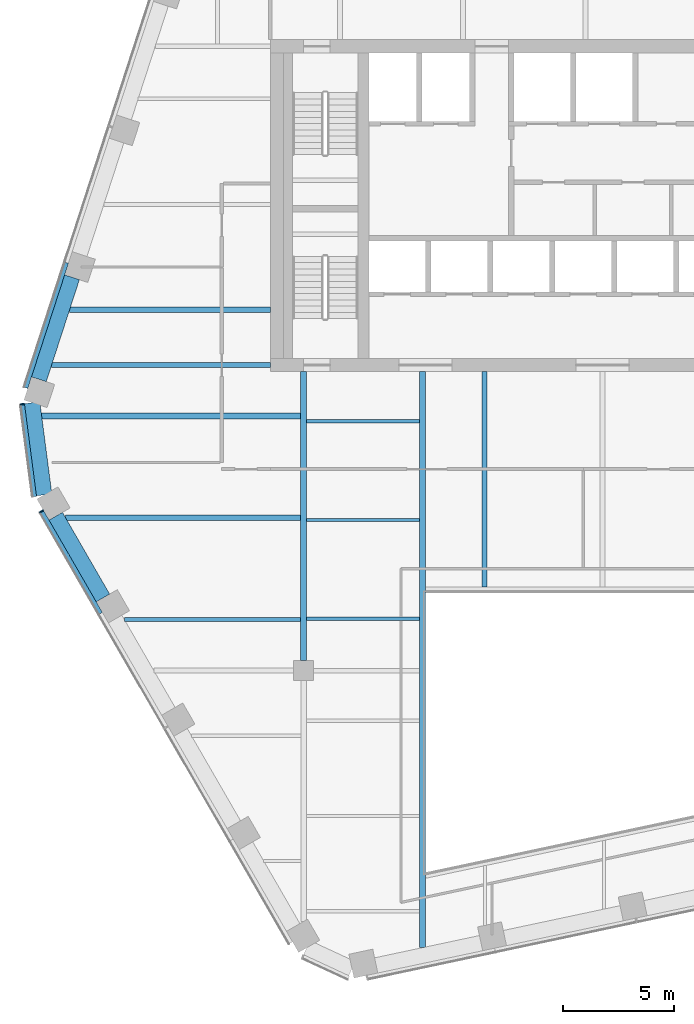
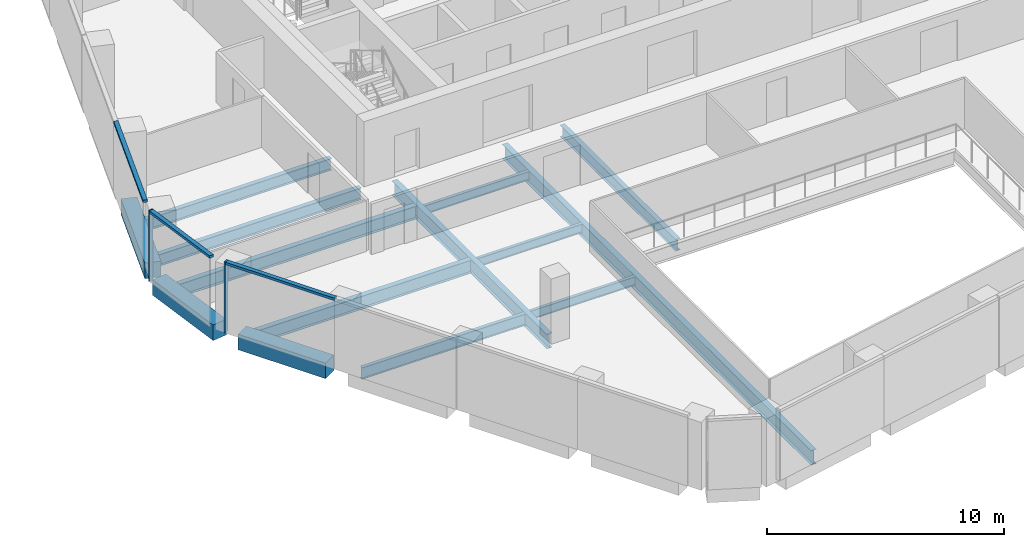
# One storey, part 3 of 16: 14 beams, 5 members, 3 elements without a shape of their own.
"""IFC4 building model written with IfcOpenShell, lengths in metres."""

from ifc_helpers import new_model, si_unit, direction, frame, origin, origin_2d, place, context, subcontext, project, spatial, rectangle, i_section, extrude, material, layer, layer_set, material_profile, profile_set, type_object, element, aggregate, save


model = new_model("IFC4")

# Units and contexts
model_context = context("Model", 3, precision=1e-05, world=origin(), true_north=direction((0.0, 1.0)))
body_context = subcontext(model_context, "Body", "Model", "MODEL_VIEW")
ifc_project = project(units=[si_unit("LENGTHUNIT", "METRE"), si_unit("AREAUNIT", "SQUARE_METRE"), si_unit("VOLUMEUNIT", "CUBIC_METRE"), si_unit("PLANEANGLEUNIT", "RADIAN"), si_unit("MASSUNIT", "GRAM", prefix="KILO")], contexts=[model_context])

# Site, building, storey
site_placement = place(None, origin())
site = spatial("IfcSite", under=ifc_project, at=site_placement, CompositionType="ELEMENT")
building_placement = place(site_placement, origin())
building = spatial("IfcBuilding", under=site, at=building_placement, Name="Isthmus Gate Tower", CompositionType="ELEMENT")
storey_placement = place(building_placement, frame((0.0, 0.0, 252.800048828125)))
storey = spatial("IfcBuildingStorey", under=building, at=storey_placement, Name="L64", CompositionType="ELEMENT", Elevation=252.800048828125)

# Curtain wall, member
ifc_material_1 = material(Name="Aluminium, pale champagne anodised", Category="aluminium")
ifc_layer = layer(ifc_material_1, 0.199951171875)
ifc_layer_set = layer_set([ifc_layer], Name="CW-1 UNITISED CURTAIN WALL 200 DEEP")
curtain_wall_type = type_object("IfcCurtainWallType", Name="CW-1 UNITISED CURTAIN WALL 200 DEEP", PredefinedType="NOTDEFINED", material=ifc_layer_set)
curtain_wall_1_placement = place(storey_placement, origin())
curtain_wall_1 = element("IfcCurtainWall", 1, at=curtain_wall_1_placement, inside=storey, type_object=curtain_wall_type, Name="CW-1 NW-SW L64", PredefinedType="NOTDEFINED")
ifc_material_2 = material(Name="Aluminium, pale champagne anodised", Category="aluminium")
ifc_material_profile_1 = material_profile(ifc_material_2, rectangle(XDim=0.06005859375, YDim=0.199951171875, at=origin_2d()), Name="60x200")
ifc_profile_set_1 = profile_set([ifc_material_profile_1], Name="Aluminium, pale champagne anodised")
member_type_1 = type_object("IfcMemberType", Name="CW-1 MULLION 60 X 200", PredefinedType="MULLION", material=ifc_profile_set_1)
member_1_placement = place(storey_placement, frame((-26.205322265625, -1.4658203125, 0.0), z_axis=(0.0, 0.0, 1.0), x_axis=(0.129164534, -0.991623175988, 0.0)))
member_1 = element("IfcMember", 2, at=member_1_placement, type_object=member_type_1, Name="CW-1 mullion", PredefinedType="MULLION", context=body_context, shape_type="SweptSolid", body=[
    extrude(rectangle(XDim=0.06005859375, YDim=0.199951171875, at=origin_2d()), origin(), (0.0, 0.0, 1.0), 3.64990234375),
])

curtain_wall_2_placement = place(storey_placement, origin())
curtain_wall_2 = element("IfcCurtainWall", 3, at=curtain_wall_2_placement, inside=storey, type_object=curtain_wall_type, Name="CW-1 SW L64", PredefinedType="NOTDEFINED")
member_2_placement = place(storey_placement, frame((-25.3427734375, -6.304931640625, 0.0), z_axis=(0.0, 0.0, 1.0), x_axis=(0.5, -0.866025403784, 0.0)))
member_2 = element("IfcMember", 4, at=member_2_placement, type_object=member_type_1, Name="CW-1 mullion", PredefinedType="MULLION", context=body_context, shape_type="SweptSolid", body=[
    extrude(rectangle(XDim=0.06005859375, YDim=0.199951171875, at=origin_2d()), origin(), (0.0, 0.0, 1.0), 3.64990234375),
])

curtain_wall_3_placement = place(storey_placement, origin())
curtain_wall_3 = element("IfcCurtainWall", 5, at=curtain_wall_3_placement, inside=storey, type_object=curtain_wall_type, Name="CW-1 NW L64", PredefinedType="NOTDEFINED")
ifc_material_3 = material(Name="Aluminium, pale champagne anodised", Category="aluminium")
ifc_material_profile_2 = material_profile(ifc_material_3, rectangle(XDim=0.199951171875, YDim=0.1298828125, at=origin_2d()), Name="200x130")
ifc_profile_set_2 = profile_set([ifc_material_profile_2], Name="Aluminium, pale champagne anodised")
member_type_2 = type_object("IfcMemberType", Name="CW-1 TRANSOM 200 X 130", PredefinedType="USERDEFINED", material=ifc_profile_set_2)
member_3_placement = place(storey_placement, frame((-24.217529296875, 4.92333984375, 3.5849609375), z_axis=(-0.309020108403, -0.951055504481, 0.0), x_axis=(0.951055504481, -0.309020108403, 0.0)))
member_3 = element("IfcMember", 6, at=member_3_placement, type_object=member_type_2, Name="CW-1 transom", ObjectType="TRANSOM", PredefinedType="USERDEFINED", context=body_context, shape_type="SweptSolid", body=[
    extrude(rectangle(XDim=0.199951171875, YDim=0.1298828125, at=origin_2d()), origin(), (0.0, 0.0, 1.0), 5.94189453125),
])
aggregate(curtain_wall_3, [member_3])

# Member
member_4_placement = place(storey_placement, frame((-26.20166015625, -1.495361328125, 3.5849609375), z_axis=(0.129206893318, -0.991617657527, 0.0), x_axis=(0.991617657527, 0.129206893318, 0.0)))
member_4 = element("IfcMember", 7, at=member_4_placement, type_object=member_type_2, Name="CW-1 transom", ObjectType="TRANSOM", PredefinedType="USERDEFINED", context=body_context, shape_type="SweptSolid", body=[
    extrude(rectangle(XDim=0.199951171875, YDim=0.1298828125, at=origin_2d()), origin(), (0.0, 0.0, 1.0), 4.181640625),
])

aggregate(curtain_wall_1, [member_1, member_4])

member_5_placement = place(storey_placement, frame((-25.327880859375, -6.3310546875, 3.5849609375), z_axis=(0.500022807565, -0.86601223543, 0.0), x_axis=(0.86601223543, 0.500022807565, 0.0)))
member_5 = element("IfcMember", 8, at=member_5_placement, type_object=member_type_2, Name="CW-1 transom", ObjectType="TRANSOM", PredefinedType="USERDEFINED", context=body_context, shape_type="SweptSolid", body=[
    extrude(rectangle(XDim=0.199951171875, YDim=0.1298828125, at=origin_2d()), origin(), (0.0, 0.0, 1.0), 5.300537109375),
])

aggregate(curtain_wall_2, [member_2, member_5])

# Beams
ifc_material_4 = material(Name="Concrete f'c 50 MPa", Category="concrete")
ifc_material_profile_3 = material_profile(ifc_material_4, rectangle(XDim=0.699951171875, YDim=0.800048828125, at=origin_2d()), Name="RC 700X800")
ifc_profile_set_3 = profile_set([ifc_material_profile_3], Name="Concrete f'c 50 MPa")
beam_type_1 = type_object("IfcBeamType", Name="RC SPANDREL 700 X 800", PredefinedType="SPANDREL", material=ifc_profile_set_3)
beam_1_placement = place(storey_placement, frame((-22.562744140625, -10.22021484375, -0.400146484375), z_axis=(-0.499996907167, 0.866027189425, 0.0), x_axis=(-0.866027189425, -0.499996907167, 0.0)))
element("IfcBeam", 9, at=beam_1_placement, inside=storey, type_object=beam_type_1, Name="str-spandrel-L64-19", PredefinedType="SPANDREL", context=body_context, shape_type="SweptSolid", body=[
    extrude(rectangle(XDim=0.699951171875, YDim=0.800048828125, at=origin_2d()), origin(), (0.0, 0.0, 1.0), 4.2607421875),
])
beam_2_placement = place(storey_placement, frame((-25.218017578125, -5.563232421875, -0.400146484375), z_axis=(-0.129137748309, 0.991626664608, 0.0), x_axis=(-0.991626664608, -0.129137748309, 0.0)))
element("IfcBeam", 10, at=beam_2_placement, inside=storey, type_object=beam_type_1, Name="str-spandrel-L64-20", PredefinedType="SPANDREL", context=body_context, shape_type="SweptSolid", body=[
    extrude(rectangle(XDim=0.699951171875, YDim=0.800048828125, at=origin_2d()), origin(), (0.0, 0.0, 1.0), 4.197021484375),
])
beam_3_placement = place(storey_placement, frame((-25.455810546875, -0.34375, -0.400146484375), z_axis=(0.309033626624, 0.951051111989, 0.0), x_axis=(-0.951051111989, 0.309033626624, 0.0)))
element("IfcBeam", 11, at=beam_3_placement, inside=storey, type_object=beam_type_1, Name="str-spandrel-L64-21", PredefinedType="SPANDREL", context=body_context, shape_type="SweptSolid", body=[
    extrude(rectangle(XDim=0.699951171875, YDim=0.800048828125, at=origin_2d()), origin(), (0.0, 0.0, 1.0), 4.842041015625),
])
ifc_material_5 = material(Name="Structural steel ASTM A992 Gr 50", Category="steel")
ifc_material_profile_4 = material_profile(ifc_material_5, i_section(OverallWidth=0.15234375, OverallDepth=0.45068359375, WebThickness=0.0078125, FlangeThickness=0.010986328125, at=origin_2d()), Name="W18X35")
ifc_profile_set_4 = profile_set([ifc_material_profile_4], Name="Structural steel ASTM A992 Gr 50")
beam_type_2 = type_object("IfcBeamType", Name="STEEL FLOOR BEAM W18X35", PredefinedType="JOIST", material=ifc_profile_set_4)
for number, where, z_axis, x_axis, name in (
    (12, (-13.3681640625, -11.16259765625, -0.37548828125), (1.0, 0.0, 0.0), (0.0, 1.0, 0.0), "str-beam-L64-03-00"),
    (13, (-13.3681640625, -6.697509765625, -0.37548828125), (1.0, 0.0, 0.0), (0.0, 1.0, 0.0), "str-beam-L64-03-01"),
    (14, (-13.3681640625, -2.232421875, -0.37548828125), (1.0, 0.0, 0.0), (0.0, 1.0, 0.0), "str-beam-L64-03-02"),
):
    element("IfcBeam", number, at=place(storey_placement, frame(where, z_axis=z_axis, x_axis=x_axis)), inside=storey, type_object=beam_type_2, Name=name, PredefinedType="JOIST", context=body_context, shape_type="SweptSolid", body=[
        extrude(i_section(OverallWidth=0.15234375, OverallDepth=0.45068359375, WebThickness=0.0078125, FlangeThickness=0.010986328125, at=origin_2d()), origin(), (0.0, 0.0, 1.0), 5.104736328125),
    ])
ifc_material_6 = material(Name="Structural steel ASTM A992 Gr 50", Category="steel")
ifc_material_profile_5 = material_profile(ifc_material_6, i_section(OverallWidth=0.177734375, OverallDepth=0.60009765625, WebThickness=0.009521484375, FlangeThickness=0.0126953125, at=origin_2d()), Name="W24X55")
ifc_profile_set_5 = profile_set([ifc_material_profile_5], Name="Structural steel ASTM A992 Gr 50")
beam_type_3 = type_object("IfcBeamType", Name="STEEL FLOOR BEAM W24X55", PredefinedType="JOIST", material=ifc_profile_set_5)
beam_4_placement = place(storey_placement, frame((-21.593017578125, -11.199951171875, -0.4501953125), z_axis=(1.0, 0.0, 0.0), x_axis=(0.0, 1.0, 0.0)))
element("IfcBeam", 15, at=beam_4_placement, inside=storey, type_object=beam_type_3, Name="str-beam-L64-01-00", PredefinedType="JOIST", context=body_context, shape_type="SweptSolid", body=[
    extrude(i_section(OverallWidth=0.177734375, OverallDepth=0.60009765625, WebThickness=0.009521484375, FlangeThickness=0.0126953125, at=origin_2d()), origin(), (0.0, 0.0, 1.0), 7.961181640625),
])
ifc_material_7 = material(Name="Structural steel ASTM A992 Gr 50", Category="steel")
ifc_material_profile_6 = material_profile(ifc_material_7, i_section(OverallWidth=0.228515625, OverallDepth=0.603271484375, WebThickness=0.010986328125, FlangeThickness=0.014404296875, at=origin_2d()), Name="W24X68")
ifc_profile_set_6 = profile_set([ifc_material_profile_6], Name="Structural steel ASTM A992 Gr 50")
beam_type_4 = type_object("IfcBeamType", Name="STEEL FLOOR BEAM W24X68", PredefinedType="JOIST", material=ifc_profile_set_6)
beam_5_placement = place(storey_placement, frame((-24.06787109375, 2.795166015625, -0.45166015625), z_axis=(1.0, 0.0, 0.0), x_axis=(0.0, 1.0, 0.0)))
element("IfcBeam", 16, at=beam_5_placement, inside=storey, type_object=beam_type_4, Name="str-beam-L64-00-00", PredefinedType="JOIST", context=body_context, shape_type="SweptSolid", body=[
    extrude(i_section(OverallWidth=0.228515625, OverallDepth=0.603271484375, WebThickness=0.010986328125, FlangeThickness=0.014404296875, at=origin_2d()), origin(), (0.0, 0.0, 1.0), 9.06787109375),
])
beam_6_placement = place(storey_placement, frame((-5.333251953125, -9.7333984375, -0.45166015625), z_axis=(0.0, 1.0, 0.0), x_axis=(-1.0, 0.0, 0.0)))
element("IfcBeam", 17, at=beam_6_placement, inside=storey, type_object=beam_type_4, Name="str-beam-L64-07-00", PredefinedType="JOIST", context=body_context, shape_type="SweptSolid", body=[
    extrude(i_section(OverallWidth=0.228515625, OverallDepth=0.603271484375, WebThickness=0.010986328125, FlangeThickness=0.014404296875, at=origin_2d()), origin(), (0.0, 0.0, 1.0), 9.7333984375),
])
ifc_material_8 = material(Name="Structural steel ASTM A992 Gr 50", Category="steel")
ifc_material_profile_7 = material_profile(ifc_material_8, i_section(OverallWidth=0.25390625, OverallDepth=0.679443359375, WebThickness=0.010986328125, FlangeThickness=0.015869140625, at=origin_2d()), Name="W27X84")
ifc_profile_set_7 = profile_set([ifc_material_profile_7], Name="Structural steel ASTM A992 Gr 50")
beam_type_5 = type_object("IfcBeamType", Name="STEEL FLOOR BEAM W27X84", PredefinedType="JOIST", material=ifc_profile_set_7)
beam_7_placement = place(storey_placement, frame((-24.248779296875, -6.60009765625, -0.48974609375), z_axis=(1.0, 0.0, 0.0), x_axis=(0.0, 1.0, 0.0)))
element("IfcBeam", 18, at=beam_7_placement, inside=storey, type_object=beam_type_5, Name="str-beam-L64-01-01", PredefinedType="JOIST", context=body_context, shape_type="SweptSolid", body=[
    extrude(i_section(OverallWidth=0.25390625, OverallDepth=0.679443359375, WebThickness=0.010986328125, FlangeThickness=0.015869140625, at=origin_2d()), origin(), (0.0, 0.0, 1.0), 10.616943359375),
])
beam_8_placement = place(storey_placement, frame((-25.3291015625, -2.0, -0.48974609375), z_axis=(1.0, 0.0, 0.0), x_axis=(0.0, 1.0, 0.0)))
element("IfcBeam", 19, at=beam_8_placement, inside=storey, type_object=beam_type_5, Name="str-beam-L64-01-02", PredefinedType="JOIST", context=body_context, shape_type="SweptSolid", body=[
    extrude(i_section(OverallWidth=0.25390625, OverallDepth=0.679443359375, WebThickness=0.010986328125, FlangeThickness=0.015869140625, at=origin_2d()), origin(), (0.0, 0.0, 1.0), 11.697265625),
])
ifc_material_9 = material(Name="Structural steel ASTM A992 Gr 50", Category="steel")
ifc_material_profile_8 = material_profile(ifc_material_9, i_section(OverallWidth=0.228515625, OverallDepth=0.6064453125, WebThickness=0.010986328125, FlangeThickness=0.017578125, at=origin_2d()), Name="W24X76")
ifc_profile_set_8 = profile_set([ifc_material_profile_8], Name="Structural steel ASTM A992 Gr 50")
beam_type_6 = type_object("IfcBeamType", Name="STEEL GIRDER W24X76", PredefinedType="BEAM", material=ifc_profile_set_8)
beam_9_placement = place(storey_placement, frame((-15.0, 0.300048828125, -0.453369140625), z_axis=(-1.0, 0.0, 0.0), x_axis=(0.0, -1.0, 0.0)))
element("IfcBeam", 20, at=beam_9_placement, inside=storey, type_object=beam_type_6, Name="str-girder-L64-09", PredefinedType="BEAM", context=body_context, shape_type="SweptSolid", body=[
    extrude(i_section(OverallWidth=0.228515625, OverallDepth=0.6064453125, WebThickness=0.010986328125, FlangeThickness=0.017578125, at=origin_2d()), origin(), (0.0, 0.0, 1.0), 9.878662109375),
])
ifc_material_10 = material(Name="Structural steel ASTM A992 Gr 50", Category="steel")
ifc_material_profile_9 = material_profile(ifc_material_10, i_section(OverallWidth=0.263427734375, OverallDepth=0.749267578125, WebThickness=0.0126953125, FlangeThickness=0.015869140625, at=origin_2d()), Name="W30X90")
ifc_profile_set_9 = profile_set([ifc_material_profile_9], Name="Structural steel ASTM A992 Gr 50")
beam_type_7 = type_object("IfcBeamType", Name="STEEL GIRDER W30X90", PredefinedType="BEAM", material=ifc_profile_set_9)
beam_10_placement = place(storey_placement, frame((-13.5, -13.050048828125, -0.524658203125), z_axis=(0.0, 1.0, 0.0), x_axis=(-1.0, 0.0, 0.0)))
element("IfcBeam", 21, at=beam_10_placement, inside=storey, type_object=beam_type_7, Name="str-girder-L64-06", PredefinedType="BEAM", context=body_context, shape_type="SweptSolid", body=[
    extrude(i_section(OverallWidth=0.263427734375, OverallDepth=0.749267578125, WebThickness=0.0126953125, FlangeThickness=0.015869140625, at=origin_2d()), origin(), (0.0, 0.0, 1.0), 13.050048828125),
])
ifc_material_11 = material(Name="Structural steel ASTM A992 Gr 50", Category="steel")
ifc_material_profile_10 = material_profile(ifc_material_11, i_section(OverallWidth=0.263427734375, OverallDepth=0.749267578125, WebThickness=0.0126953125, FlangeThickness=0.015869140625, at=origin_2d()), Name="W30X90")
ifc_profile_set_10 = profile_set([ifc_material_profile_10], Name="Structural steel ASTM A992 Gr 50")
beam_type_8 = type_object("IfcBeamType", Name="STEEL TRIMMER W30X90", PredefinedType="BEAM", material=ifc_profile_set_10)
beam_11_placement = place(storey_placement, frame((-8.1318359375, 0.0, -0.524658203125), z_axis=(0.0, -1.0, 0.0), x_axis=(1.0, 0.0, 0.0)))
element("IfcBeam", 22, at=beam_11_placement, inside=storey, type_object=beam_type_8, Name="str-trimmer-L64-02", PredefinedType="BEAM", context=body_context, shape_type="SweptSolid", body=[
    extrude(i_section(OverallWidth=0.263427734375, OverallDepth=0.749267578125, WebThickness=0.0126953125, FlangeThickness=0.015869140625, at=origin_2d()), origin(), (0.0, 0.0, 1.0), 26.012939453125),
])

save(model, "model.ifc")
